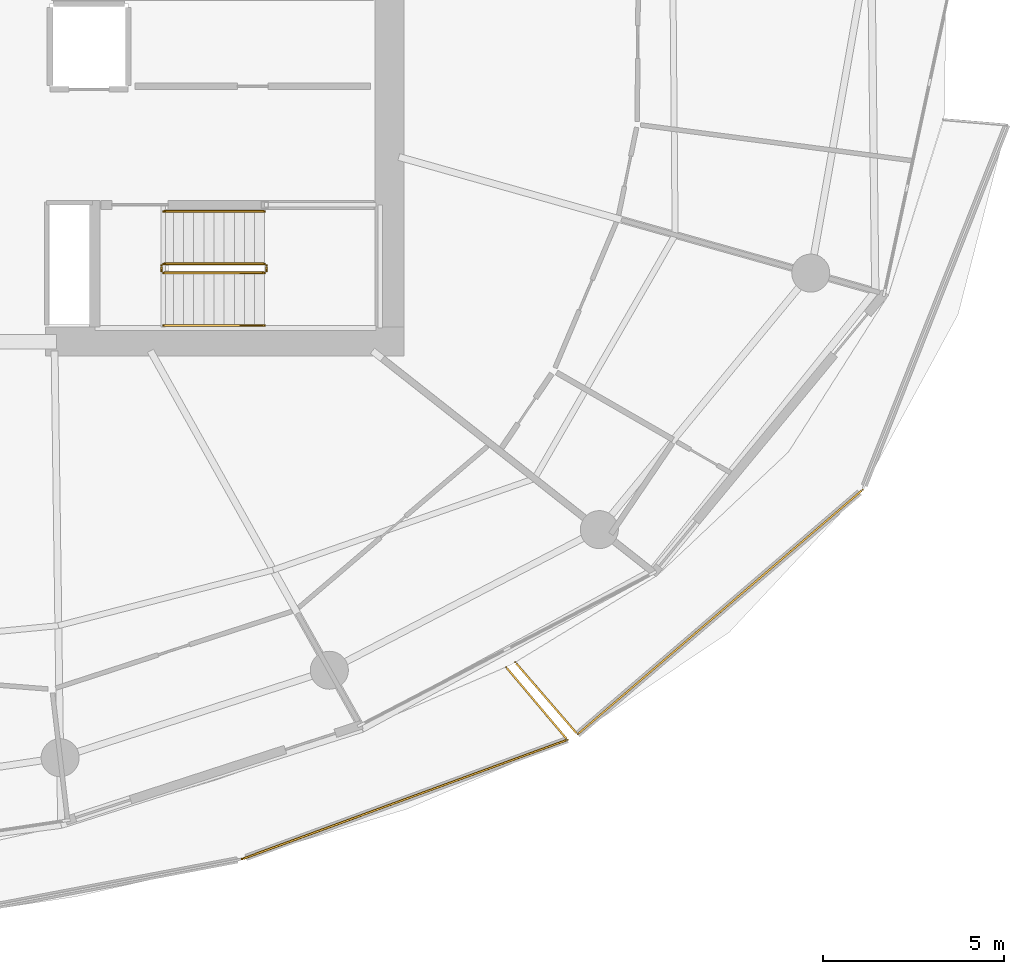
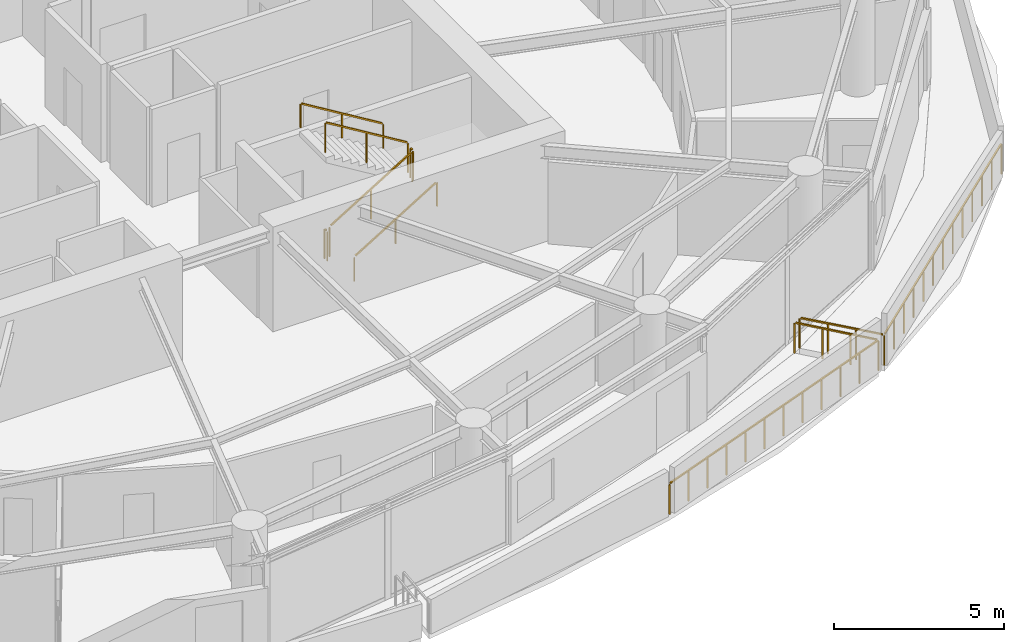
# One storey, part 18 of 20: 10 railings.
"""IFC4 building model written with IfcOpenShell, lengths in metres."""

from ifc_helpers import new_model, si_unit, direction, frame, origin, origin_2d, place, context, subcontext, project, spatial, rectangle, extrude, material, type_object, element, save


model = new_model("IFC4")

# Units and contexts
model_context = context("Model", 3, precision=1e-05, world=origin(), true_north=direction((0.0, 1.0)))
body_context = subcontext(model_context, "Body", "Model", "MODEL_VIEW")
ifc_project = project(units=[si_unit("LENGTHUNIT", "METRE"), si_unit("AREAUNIT", "SQUARE_METRE"), si_unit("VOLUMEUNIT", "CUBIC_METRE"), si_unit("PLANEANGLEUNIT", "RADIAN"), si_unit("MASSUNIT", "GRAM", prefix="KILO")], contexts=[model_context])

# Site, building, storey
site_placement = place(None, origin())
site = spatial("IfcSite", under=ifc_project, at=site_placement, CompositionType="ELEMENT")
building_placement = place(site_placement, origin())
building = spatial("IfcBuilding", under=site, at=building_placement, Name="Kazma Halo Residences", CompositionType="ELEMENT")
storey_placement = place(building_placement, frame((0.0, 0.0, 131.550048828125)))
storey = spatial("IfcBuildingStorey", under=building, at=storey_placement, Name="L32", CompositionType="ELEMENT", Elevation=131.550048828125)

# Railings
ifc_material_1 = material(Name="Aluminium AW-6063 T6 Brushed Cap Rail", Category="aluminium")
railing_type_1 = type_object("IfcRailingType", Name="RLG-BAL-CAP-1120", PredefinedType="BALUSTRADE", material=ifc_material_1)
railing_1_placement = place(storey_placement, frame((55.368896484375, 19.320556640625, 0.0)))
element("IfcRailing", 1, at=railing_1_placement, inside=storey, type_object=railing_type_1, Name="L32 SSE wave balcony guard 3", PredefinedType="BALUSTRADE", context=body_context, shape_type="SweptSolid", body=[
    extrude(rectangle(XDim=0.050048828125, YDim=0.050048828125, at=origin_2d()), frame((0.0400390625, 0.0146484375, 1.09521484375), z_axis=(0.938895555722, 0.344202172344, 0.0), x_axis=(-0.344202172344, 0.938895555722, 0.0)), (0.0, 0.0, 1.0), 9.48388671875),
    extrude(rectangle(XDim=0.0400390625, YDim=0.0400390625, at=origin_2d()), origin(), (0.0, 0.0, 1.0), 1.05810546875),
    extrude(rectangle(XDim=0.0400390625, YDim=0.0400390625, at=origin_2d()), frame((0.816650390625, 0.29931640625, 0.0)), (0.0, 0.0, 1.0), 1.05810546875),
    extrude(rectangle(XDim=0.0400390625, YDim=0.0400390625, at=origin_2d()), frame((1.633544921875, 0.598876953125, 0.0)), (0.0, 0.0, 1.0), 1.05810546875),
    extrude(rectangle(XDim=0.0400390625, YDim=0.0400390625, at=origin_2d()), frame((2.4501953125, 0.898193359375, 0.0)), (0.0, 0.0, 1.0), 1.05810546875),
    extrude(rectangle(XDim=0.0400390625, YDim=0.0400390625, at=origin_2d()), frame((3.26708984375, 1.19775390625, 0.0)), (0.0, 0.0, 1.0), 1.05810546875),
    extrude(rectangle(XDim=0.0400390625, YDim=0.0400390625, at=origin_2d()), frame((4.083740234375, 1.4970703125, 0.0)), (0.0, 0.0, 1.0), 1.05810546875),
    extrude(rectangle(XDim=0.0400390625, YDim=0.0400390625, at=origin_2d()), frame((4.900634765625, 1.796630859375, 0.0)), (0.0, 0.0, 1.0), 1.05810546875),
    extrude(rectangle(XDim=0.0400390625, YDim=0.0400390625, at=origin_2d()), frame((5.71728515625, 2.095947265625, 0.0)), (0.0, 0.0, 1.0), 1.05810546875),
    extrude(rectangle(XDim=0.0400390625, YDim=0.0400390625, at=origin_2d()), frame((6.5341796875, 2.3955078125, 0.0)), (0.0, 0.0, 1.0), 1.05810546875),
    extrude(rectangle(XDim=0.0400390625, YDim=0.0400390625, at=origin_2d()), frame((7.350830078125, 2.69482421875, 0.0)), (0.0, 0.0, 1.0), 1.05810546875),
    extrude(rectangle(XDim=0.0400390625, YDim=0.0400390625, at=origin_2d()), frame((8.167724609375, 2.994384765625, 0.0)), (0.0, 0.0, 1.0), 1.05810546875),
    extrude(rectangle(XDim=0.0400390625, YDim=0.0400390625, at=origin_2d()), frame((8.984375, 3.293701171875, 0.0)), (0.0, 0.0, 1.0), 1.05810546875),
])
railing_2_placement = place(storey_placement, frame((64.353271484375, 22.6142578125, 0.0)))
element("IfcRailing", 2, at=railing_2_placement, inside=storey, type_object=railing_type_1, Name="L32 SSE wave balcony guard 4", PredefinedType="BALUSTRADE", context=body_context, shape_type="SweptSolid", body=[
    extrude(rectangle(XDim=0.050048828125, YDim=0.050048828125, at=origin_2d()), frame((-0.02734375, 0.032470703125, 1.09521484375), z_axis=(-0.644803007039, 0.764348796109, 0.0), x_axis=(-0.764348796109, -0.644803007039, 0.0)), (0.0, 0.0, 1.0), 2.539306640625),
    extrude(rectangle(XDim=0.0400390625, YDim=0.0400390625, at=origin_2d()), origin(), (0.0, 0.0, 1.0), 1.05810546875),
    extrude(rectangle(XDim=0.0400390625, YDim=0.0400390625, at=origin_2d()), frame((-0.56396484375, 0.668701171875, 0.0)), (0.0, 0.0, 1.0), 1.05810546875),
    extrude(rectangle(XDim=0.0400390625, YDim=0.0400390625, at=origin_2d()), frame((-1.128173828125, 1.337158203125, 0.0)), (0.0, 0.0, 1.0), 1.05810546875),
    extrude(rectangle(XDim=0.0400390625, YDim=0.0400390625, at=origin_2d()), frame((-1.692138671875, 2.005859375, 0.0)), (0.0, 0.0, 1.0), 1.05810546875),
])
railing_3_placement = place(storey_placement, frame((62.91455078125, 24.751953125, 0.0)))
element("IfcRailing", 3, at=railing_3_placement, inside=storey, type_object=railing_type_1, Name="L32 SE wave balcony guard 1", PredefinedType="BALUSTRADE", context=body_context, shape_type="SweptSolid", body=[
    extrude(rectangle(XDim=0.050048828125, YDim=0.050048828125, at=origin_2d()), frame((0.02783203125, -0.0322265625, 1.09521484375), z_axis=(0.654028426736, -0.756469970998, 0.0), x_axis=(0.756469970998, 0.654028426736, 0.0)), (0.0, 0.0, 1.0), 2.543701171875),
    extrude(rectangle(XDim=0.0400390625, YDim=0.0400390625, at=origin_2d()), origin(), (0.0, 0.0, 1.0), 1.05810546875),
    extrude(rectangle(XDim=0.0400390625, YDim=0.0400390625, at=origin_2d()), frame((0.572998046875, -0.662841796875, 0.0)), (0.0, 0.0, 1.0), 1.05810546875),
    extrude(rectangle(XDim=0.0400390625, YDim=0.0400390625, at=origin_2d()), frame((1.146240234375, -1.32568359375, 0.0)), (0.0, 0.0, 1.0), 1.05810546875),
    extrude(rectangle(XDim=0.0400390625, YDim=0.0400390625, at=origin_2d()), frame((1.71923828125, -1.988525390625, 0.0)), (0.0, 0.0, 1.0), 1.05810546875),
])
railing_4_placement = place(storey_placement, frame((64.6337890625, 22.763427734375, 0.0)))
element("IfcRailing", 4, at=railing_4_placement, inside=storey, type_object=railing_type_1, Name="L32 SE wave balcony guard 2", PredefinedType="BALUSTRADE", context=body_context, shape_type="SweptSolid", body=[
    extrude(rectangle(XDim=0.050048828125, YDim=0.050048828125, at=origin_2d()), frame((0.0322265625, 0.027587890625, 1.09521484375), z_axis=(0.758998932096, 0.651091868385, 0.0), x_axis=(-0.651091868385, 0.758998932096, 0.0)), (0.0, 0.0, 1.0), 10.283935546875),
    extrude(rectangle(XDim=0.0400390625, YDim=0.0400390625, at=origin_2d()), origin(), (0.0, 0.0, 1.0), 1.05810546875),
    extrude(rectangle(XDim=0.0400390625, YDim=0.0400390625, at=origin_2d()), frame((0.65576171875, 0.5625, 0.0)), (0.0, 0.0, 1.0), 1.05810546875),
    extrude(rectangle(XDim=0.0400390625, YDim=0.0400390625, at=origin_2d()), frame((1.311767578125, 1.125244140625, 0.0)), (0.0, 0.0, 1.0), 1.05810546875),
    extrude(rectangle(XDim=0.0400390625, YDim=0.0400390625, at=origin_2d()), frame((1.967529296875, 1.687744140625, 0.0)), (0.0, 0.0, 1.0), 1.05810546875),
    extrude(rectangle(XDim=0.0400390625, YDim=0.0400390625, at=origin_2d()), frame((2.623291015625, 2.25048828125, 0.0)), (0.0, 0.0, 1.0), 1.05810546875),
    extrude(rectangle(XDim=0.0400390625, YDim=0.0400390625, at=origin_2d()), frame((3.279296875, 2.81298828125, 0.0)), (0.0, 0.0, 1.0), 1.05810546875),
    extrude(rectangle(XDim=0.0400390625, YDim=0.0400390625, at=origin_2d()), frame((3.93505859375, 3.37548828125, 0.0)), (0.0, 0.0, 1.0), 1.05810546875),
    extrude(rectangle(XDim=0.0400390625, YDim=0.0400390625, at=origin_2d()), frame((4.5908203125, 3.938232421875, 0.0)), (0.0, 0.0, 1.0), 1.05810546875),
    extrude(rectangle(XDim=0.0400390625, YDim=0.0400390625, at=origin_2d()), frame((5.246826171875, 4.500732421875, 0.0)), (0.0, 0.0, 1.0), 1.05810546875),
    extrude(rectangle(XDim=0.0400390625, YDim=0.0400390625, at=origin_2d()), frame((5.902587890625, 5.0634765625, 0.0)), (0.0, 0.0, 1.0), 1.05810546875),
    extrude(rectangle(XDim=0.0400390625, YDim=0.0400390625, at=origin_2d()), frame((6.558349609375, 5.6259765625, 0.0)), (0.0, 0.0, 1.0), 1.05810546875),
    extrude(rectangle(XDim=0.0400390625, YDim=0.0400390625, at=origin_2d()), frame((7.21435546875, 6.188720703125, 0.0)), (0.0, 0.0, 1.0), 1.05810546875),
    extrude(rectangle(XDim=0.0400390625, YDim=0.0400390625, at=origin_2d()), frame((7.8701171875, 6.751220703125, 0.0)), (0.0, 0.0, 1.0), 1.05810546875),
])
ifc_material_2 = material(Name="Painted Steel S355", Category="steel")
railing_type_2 = type_object("IfcRailingType", Name="RLG-STAIR-GRD-1100", PredefinedType="GUARDRAIL", material=ifc_material_2)
railing_5_placement = place(storey_placement, frame((53.199951171875, 35.5, 0.17041015625)))
element("IfcRailing", 5, at=railing_5_placement, inside=storey, type_object=railing_type_2, Name="L32 ST-03 stair guard 1", PredefinedType="GUARDRAIL", context=body_context, shape_type="SweptSolid", body=[
    extrude(rectangle(XDim=0.050048828125, YDim=0.050048828125, at=origin_2d()), frame((0.036376953125, 0.0, 1.09716796875), z_axis=(0.854169791009, 0.0, 0.51999420009), x_axis=(0.0, 1.0, 0.0)), (0.0, 0.0, 1.0), 3.193115234375),
    extrude(rectangle(XDim=0.0400390625, YDim=0.0400390625, at=origin_2d()), origin(), (0.0, 0.0, 1.0), 1.0380859375),
    extrude(rectangle(XDim=0.0400390625, YDim=0.0400390625, at=origin_2d()), frame((1.39990234375, 0.0, 0.852294921875)), (0.0, 0.0, 1.0), 1.0380859375),
    extrude(rectangle(XDim=0.0400390625, YDim=0.0400390625, at=origin_2d()), frame((2.800048828125, 0.0, 1.70458984375)), (0.0, 0.0, 1.0), 1.0380859375),
])
railing_6_placement = place(storey_placement, frame((56.050048828125, 35.550048828125, 1.875)))
element("IfcRailing", 6, at=railing_6_placement, inside=storey, type_object=railing_type_2, Name="L32 ST-03 stair guard 2", PredefinedType="GUARDRAIL", context=body_context, shape_type="SweptSolid", body=[
    extrude(rectangle(XDim=0.050048828125, YDim=0.050048828125, at=origin_2d()), frame((0.0, 0.04248046875, 1.0751953125), z_axis=(0.0, 1.0, 0.0), x_axis=(-1.0, 0.0, 0.0)), (0.0, 0.0, 1.0), 0.06494140625),
    extrude(rectangle(XDim=0.0400390625, YDim=0.0400390625, at=origin_2d()), origin(), (0.0, 0.0, 1.0), 1.0380859375),
    extrude(rectangle(XDim=0.0400390625, YDim=0.0400390625, at=origin_2d()), frame((0.0, 0.14990234375, 0.0)), (0.0, 0.0, 1.0), 1.0380859375),
])
railing_7_placement = place(storey_placement, frame((56.0, 35.75, 2.04541015625)))
element("IfcRailing", 7, at=railing_7_placement, inside=storey, type_object=railing_type_2, Name="L32 ST-03 stair guard 3", PredefinedType="GUARDRAIL", context=body_context, shape_type="SweptSolid", body=[
    extrude(rectangle(XDim=0.050048828125, YDim=0.050048828125, at=origin_2d()), frame((-0.036376953125, 0.0, 1.09716796875), z_axis=(-0.854169791009, 0.0, 0.51999420009), x_axis=(0.0, -1.0, 0.0)), (0.0, 0.0, 1.0), 3.193115234375),
    extrude(rectangle(XDim=0.0400390625, YDim=0.0400390625, at=origin_2d()), origin(), (0.0, 0.0, 1.0), 1.0380859375),
    extrude(rectangle(XDim=0.0400390625, YDim=0.0400390625, at=origin_2d()), frame((-1.39990234375, 0.0, 0.852294921875)), (0.0, 0.0, 1.0), 1.0380859375),
    extrude(rectangle(XDim=0.0400390625, YDim=0.0400390625, at=origin_2d()), frame((-2.800048828125, 0.0, 1.70458984375)), (0.0, 0.0, 1.0), 1.0380859375),
])
railing_8_placement = place(storey_placement, frame((53.14990234375, 35.550048828125, 0.0)))
element("IfcRailing", 8, at=railing_8_placement, inside=storey, type_object=railing_type_2, Name="L32 ST-03 stair guard 4", PredefinedType="GUARDRAIL", context=body_context, shape_type="SweptSolid", body=[
    extrude(rectangle(XDim=0.050048828125, YDim=0.050048828125, at=origin_2d()), frame((0.0, 0.04248046875, 1.0751953125), z_axis=(0.0, 1.0, 0.0), x_axis=(-1.0, 0.0, 0.0)), (0.0, 0.0, 1.0), 0.06494140625),
    extrude(rectangle(XDim=0.0400390625, YDim=0.0400390625, at=origin_2d()), origin(), (0.0, 0.0, 1.0), 1.0380859375),
    extrude(rectangle(XDim=0.0400390625, YDim=0.0400390625, at=origin_2d()), frame((0.0, 0.14990234375, 0.0)), (0.0, 0.0, 1.0), 1.0380859375),
])
ifc_material_3 = material(Name="Brushed Stainless Steel", Category="steel")
railing_type_3 = type_object("IfcRailingType", Name="RLG-STAIR-HND-900", PredefinedType="HANDRAIL", material=ifc_material_3)
railing_9_placement = place(storey_placement, frame((53.199951171875, 34.050048828125, 0.17041015625)))
element("IfcRailing", 9, at=railing_9_placement, inside=storey, type_object=railing_type_3, Name="L32 ST-03 stair handrail 1", PredefinedType="HANDRAIL", context=body_context, shape_type="SweptSolid", body=[
    extrude(rectangle(XDim=0.050048828125, YDim=0.050048828125, at=origin_2d()), frame((0.036376953125, 0.0, 0.89697265625), z_axis=(0.854169791009, 0.0, 0.51999420009), x_axis=(0.0, 1.0, 0.0)), (0.0, 0.0, 1.0), 3.193115234375),
    extrude(rectangle(XDim=0.0400390625, YDim=0.0400390625, at=origin_2d()), origin(), (0.0, 0.0, 1.0), 0.837890625),
    extrude(rectangle(XDim=0.0400390625, YDim=0.0400390625, at=origin_2d()), frame((1.39990234375, 0.0, 0.852294921875)), (0.0, 0.0, 1.0), 0.837890625),
    extrude(rectangle(XDim=0.0400390625, YDim=0.0400390625, at=origin_2d()), frame((2.800048828125, 0.0, 1.70458984375)), (0.0, 0.0, 1.0), 0.837890625),
])
railing_10_placement = place(storey_placement, frame((56.0, 37.199951171875, 2.04541015625)))
element("IfcRailing", 10, at=railing_10_placement, inside=storey, type_object=railing_type_3, Name="L32 ST-03 stair handrail 2", PredefinedType="HANDRAIL", context=body_context, shape_type="SweptSolid", body=[
    extrude(rectangle(XDim=0.050048828125, YDim=0.050048828125, at=origin_2d()), frame((-0.036376953125, 0.0, 0.89697265625), z_axis=(-0.854169791009, 0.0, 0.51999420009), x_axis=(0.0, -1.0, 0.0)), (0.0, 0.0, 1.0), 3.193115234375),
    extrude(rectangle(XDim=0.0400390625, YDim=0.0400390625, at=origin_2d()), origin(), (0.0, 0.0, 1.0), 0.837890625),
    extrude(rectangle(XDim=0.0400390625, YDim=0.0400390625, at=origin_2d()), frame((-1.39990234375, 0.0, 0.852294921875)), (0.0, 0.0, 1.0), 0.837890625),
    extrude(rectangle(XDim=0.0400390625, YDim=0.0400390625, at=origin_2d()), frame((-2.800048828125, 0.0, 1.70458984375)), (0.0, 0.0, 1.0), 0.837890625),
])

save(model, "model.ifc")
